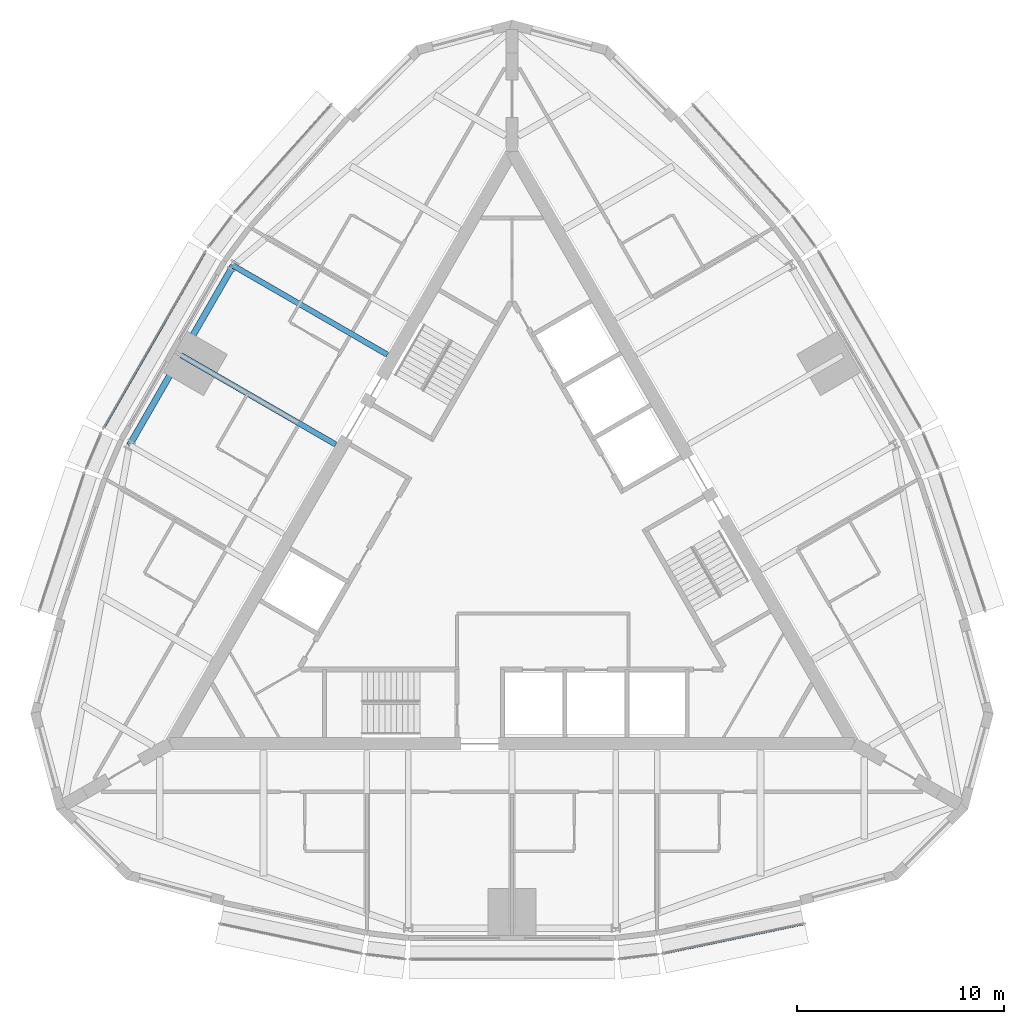
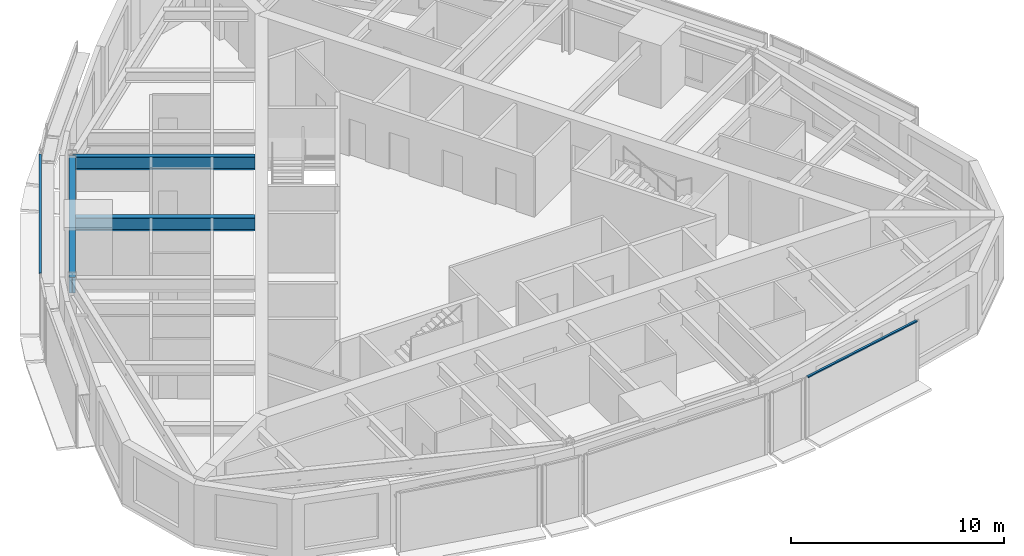
# One storey, part 3 of 12: 3 beams, 2 members, 2 elements without a shape of their own.
"""IFC4 building model written with IfcOpenShell, lengths in metres."""

from ifc_helpers import new_model, si_unit, direction, frame, origin, origin_2d, place, context, subcontext, project, spatial, rectangle, i_section, extrude, material, material_profile, profile_set, type_object, element, aggregate, save


model = new_model("IFC4")

# Units and contexts
model_context = context("Model", 3, precision=1e-05, world=origin(), true_north=direction((0.0, 1.0)))
body_context = subcontext(model_context, "Body", "Model", "MODEL_VIEW")
ifc_project = project(units=[si_unit("LENGTHUNIT", "METRE"), si_unit("AREAUNIT", "SQUARE_METRE"), si_unit("VOLUMEUNIT", "CUBIC_METRE"), si_unit("PLANEANGLEUNIT", "RADIAN"), si_unit("MASSUNIT", "GRAM", prefix="KILO")], contexts=[model_context])

# Site, building, storey
site_placement = place(None, origin())
site = spatial("IfcSite", under=ifc_project, at=site_placement, CompositionType="ELEMENT")
building_placement = place(site_placement, origin())
building = spatial("IfcBuilding", under=site, at=building_placement, Name="Trikona Tower", CompositionType="ELEMENT")
storey_placement = place(building_placement, frame((0.0, 0.0, 246.5)))
storey = spatial("IfcBuildingStorey", under=building, at=storey_placement, Name="L65", CompositionType="ELEMENT", Elevation=246.5)

# Beams
ifc_material_1 = material(Name="Steel ASTM A992 Grade 50", Category="steel")
ifc_material_profile_1 = material_profile(ifc_material_1, i_section(OverallWidth=0.2666015625, OverallDepth=0.7568359375, WebThickness=0.013916015625, FlangeThickness=0.019287109375, at=origin_2d()), Name="W30X108")
ifc_profile_set_1 = profile_set([ifc_material_profile_1], Name="Steel ASTM A992 Grade 50")
beam_type_1 = type_object("IfcBeamType", Name="Steel beam W30x108 (radial upper)", PredefinedType="BEAM", material=ifc_profile_set_1)
beam_1_placement = place(storey_placement, frame((-6.009765625, 9.243408203125, 3.056396484375), z_axis=(-0.866029182723, 0.49999345463, 0.0), x_axis=(-0.49999345463, -0.866029182723, 0.0)))
element("IfcBeam", 1, at=beam_1_placement, inside=storey, type_object=beam_type_1, Name="Floor beam L66 F3 u-5", PredefinedType="BEAM", context=body_context, shape_type="SweptSolid", body=[
    extrude(i_section(OverallWidth=0.2666015625, OverallDepth=0.7568359375, WebThickness=0.013916015625, FlangeThickness=0.019287109375, at=origin_2d()), origin(), (0.0, 0.0, 1.0), 8.60400390625),
])
beam_2_placement = place(storey_placement, frame((-8.509765625, 4.9130859375, 3.056396484375), z_axis=(-0.866016896067, 0.50001473551, 0.0), x_axis=(-0.50001473551, -0.866016896067, 0.0)))
element("IfcBeam", 2, at=beam_2_placement, inside=storey, type_object=beam_type_1, Name="Floor beam L66 F3 u0", PredefinedType="BEAM", context=body_context, shape_type="SweptSolid", body=[
    extrude(i_section(OverallWidth=0.2666015625, OverallDepth=0.7568359375, WebThickness=0.013916015625, FlangeThickness=0.019287109375, at=origin_2d()), origin(), (0.0, 0.0, 1.0), 8.604248046875),
])
ifc_material_2 = material(Name="Steel ASTM A992 Grade 50", Category="steel")
ifc_material_profile_2 = material_profile(ifc_material_2, i_section(OverallWidth=0.3046875, OverallDepth=0.911865234375, WebThickness=0.015869140625, FlangeThickness=0.02392578125, at=origin_2d()), Name="W36X150")
ifc_profile_set_2 = profile_set([ifc_material_profile_2], Name="Steel ASTM A992 Grade 50")
beam_type_2 = type_object("IfcBeamType", Name="Steel beam W36x150 (spandrel upper)", PredefinedType="SPANDREL", material=ifc_profile_set_2)
beam_3_placement = place(storey_placement, frame((-13.461181640625, 13.54541015625, 2.97900390625), z_axis=(-0.499993662806, -0.866029062534, 0.0), x_axis=(0.866029062534, -0.499993662806, 0.0)))
element("IfcBeam", 3, at=beam_3_placement, inside=storey, type_object=beam_type_2, Name="Spandrel beam L66 F3-2", PredefinedType="SPANDREL", context=body_context, shape_type="SweptSolid", body=[
    extrude(i_section(OverallWidth=0.3046875, OverallDepth=0.911865234375, WebThickness=0.015869140625, FlangeThickness=0.02392578125, at=origin_2d()), origin(), (0.0, 0.0, 1.0), 10.000244140625),
])

# Curtain wall, member
ifc_material_3 = material(Name="Aluminium curtain wall system", Category="aluminium")
curtain_wall_type = type_object("IfcCurtainWallType", Name="Curtain wall DS3", PredefinedType="NOTDEFINED", material=ifc_material_3)
curtain_wall_1_placement = place(storey_placement, origin())
curtain_wall_1 = element("IfcCurtainWall", 4, at=curtain_wall_1_placement, inside=storey, type_object=curtain_wall_type, Name="Curtain wall DS3 L65", PredefinedType="NOTDEFINED")
ifc_material_4 = material(Name="Aluminium transom, pale anodised", Category="aluminium")
ifc_material_profile_3 = material_profile(ifc_material_4, rectangle(XDim=0.1201171875, YDim=0.070068359375, at=origin_2d()), Name="TRN-DS3")
ifc_profile_set_3 = profile_set([ifc_material_profile_3], Name="Aluminium transom, pale anodised")
member_type = type_object("IfcMemberType", Name="Transom DS3 70x120", PredefinedType="USERDEFINED", material=ifc_profile_set_3)
member_1_placement = place(storey_placement, frame((7.312255859375, -19.64453125, 3.56494140625), z_axis=(0.978654137783, 0.205514181021, 0.0), x_axis=(-0.205514181021, 0.978654137783, 0.0)))
member_1 = element("IfcMember", 5, at=member_1_placement, type_object=member_type, Name="CW-DS3 transom 1.1", ObjectType="TRANSOM", PredefinedType="USERDEFINED", context=body_context, shape_type="SweptSolid", body=[
    extrude(rectangle(XDim=0.1201171875, YDim=0.070068359375, at=origin_2d()), origin(), (0.0, 0.0, 1.0), 6.892578125),
])
aggregate(curtain_wall_1, [member_1])

curtain_wall_2_placement = place(storey_placement, origin())
curtain_wall_2 = element("IfcCurtainWall", 6, at=curtain_wall_2_placement, inside=storey, type_object=curtain_wall_type, Name="Curtain wall DS3 L65", PredefinedType="NOTDEFINED")
member_2_placement = place(storey_placement, frame((-14.8251953125, 14.182861328125, 3.56494140625), z_axis=(-0.500010305712, -0.866019453697, 0.0), x_axis=(0.866019453697, -0.500010305712, 0.0)))
member_2 = element("IfcMember", 7, at=member_2_placement, type_object=member_type, Name="CW-DS3 transom 1.1", ObjectType="TRANSOM", PredefinedType="USERDEFINED", context=body_context, shape_type="SweptSolid", body=[
    extrude(rectangle(XDim=0.1201171875, YDim=0.070068359375, at=origin_2d()), origin(), (0.0, 0.0, 1.0), 9.739990234375),
])
aggregate(curtain_wall_2, [member_2])

save(model, "model.ifc")
